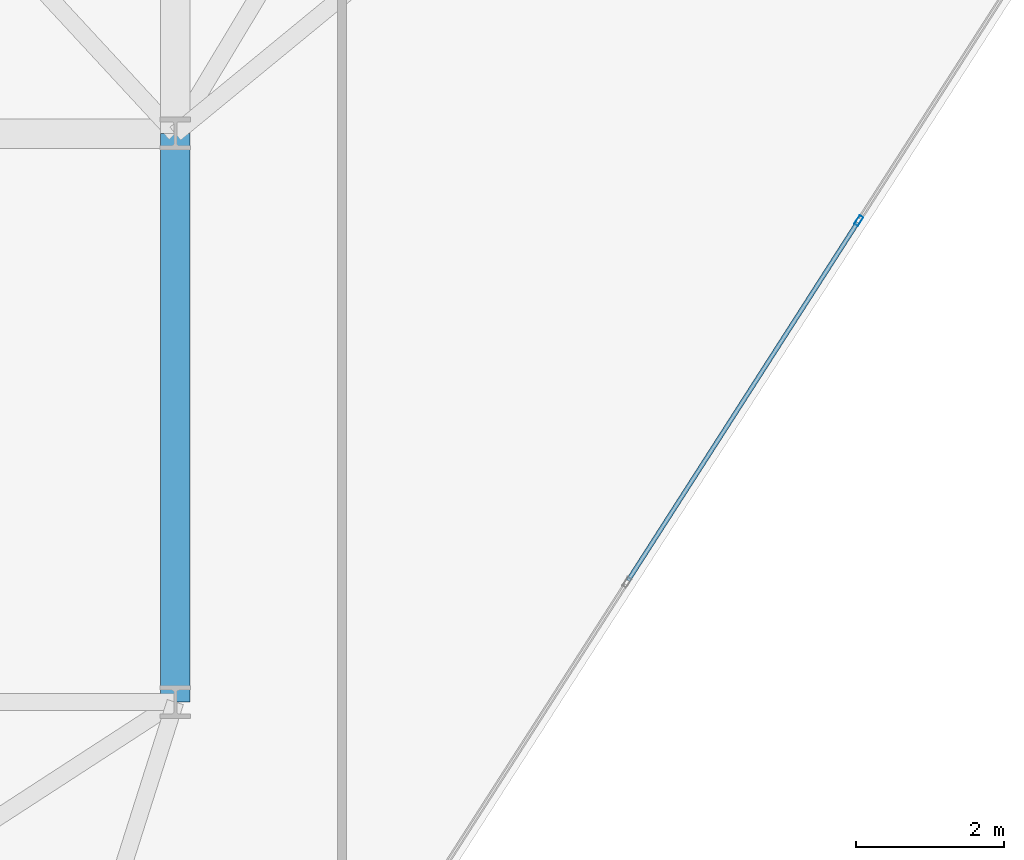
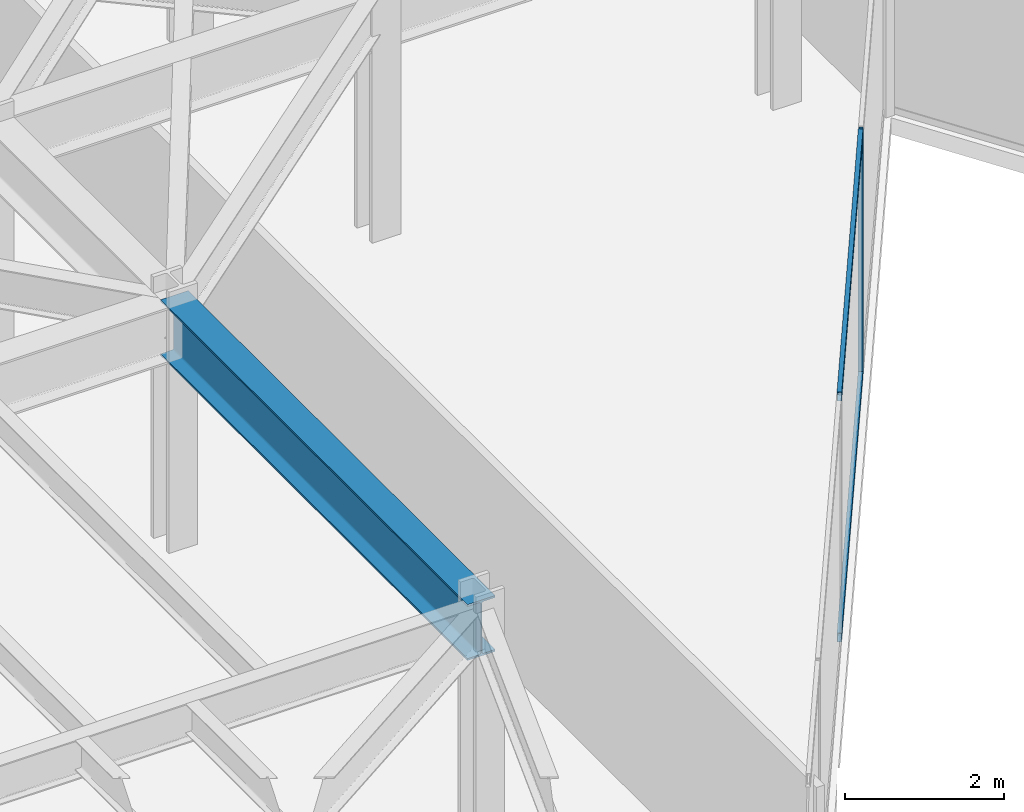
# One storey, part 8 of 26: 3 members, 1 beam, 1 element without a shape of its own.
"""IFC4 building model written with IfcOpenShell, lengths in metres."""

from ifc_helpers import new_model, si_unit, direction, frame, origin, origin_2d, place, context, subcontext, project, spatial, hollow_rectangle, i_section, extrude, material, layer, layer_set, material_profile, profile_set, type_object, element, aggregate, save


model = new_model("IFC4")

# Units and contexts
model_context = context("Model", 3, precision=1e-05, world=origin(), true_north=direction((0.0, 1.0)))
body_context = subcontext(model_context, "Body", "Model", "MODEL_VIEW")
ifc_project = project(units=[si_unit("LENGTHUNIT", "METRE"), si_unit("AREAUNIT", "SQUARE_METRE"), si_unit("VOLUMEUNIT", "CUBIC_METRE"), si_unit("PLANEANGLEUNIT", "RADIAN"), si_unit("MASSUNIT", "GRAM", prefix="KILO")], contexts=[model_context])

# Site, building, storey
site_placement = place(None, origin())
site = spatial("IfcSite", under=ifc_project, at=site_placement, CompositionType="ELEMENT")
building_placement = place(site_placement, origin())
building = spatial("IfcBuilding", under=site, at=building_placement, Name="Kravanh Interchange Tower", CompositionType="ELEMENT")
storey_placement = place(building_placement, frame((0.0, 0.0, 128.0)))
storey = spatial("IfcBuildingStorey", under=building, at=storey_placement, Name="L30", CompositionType="ELEMENT", Elevation=128.0)

# Curtain wall, members
ifc_material_1 = material(Name="Anodised Bronze Aluminium", Category="aluminium")
ifc_layer = layer(ifc_material_1, 0.179931640625)
ifc_layer_set = layer_set([ifc_layer], Name="Unitised Curtain Wall System CW-Z2 Mid Office")
curtain_wall_type = type_object("IfcCurtainWallType", Name="Unitised Curtain Wall System CW-Z2 Mid Office", PredefinedType="NOTDEFINED", material=ifc_layer_set)
curtain_wall_placement = place(storey_placement, origin())
curtain_wall = element("IfcCurtainWall", 1, at=curtain_wall_placement, inside=storey, type_object=curtain_wall_type, Name="L30 Unitised Curtain Wall CW-L30-05", PredefinedType="NOTDEFINED")
ifc_material_2 = material(Name="Anodised Bronze Aluminium", Category="aluminium")
ifc_material_profile_1 = material_profile(ifc_material_2, hollow_rectangle(XDim=0.06005859375, YDim=0.139892578125, WallThickness=0.00390625, at=origin_2d()), Name="ALU60X140X4")
ifc_profile_set_1 = profile_set([ifc_material_profile_1], Name="Anodised Bronze Aluminium")
member_type_1 = type_object("IfcMemberType", Name="Curtain Wall Mullion ALU60X140X4 Bronze", PredefinedType="MULLION", material=ifc_profile_set_1)
member_1_placement = place(storey_placement, frame((36.45849609375, 21.021728515625, 0.0), z_axis=(0.0, 0.0, 1.0), x_axis=(0.841879939476, -0.539664865919, 0.0)))
member_1 = element("IfcMember", 2, at=member_1_placement, type_object=member_type_1, Name="CW-Z2 mullion 2", PredefinedType="MULLION", context=body_context, shape_type="SweptSolid", body=[
    extrude(hollow_rectangle(XDim=0.06005859375, YDim=0.139892578125, WallThickness=0.00390625, at=origin_2d()), origin(), (0.0, 0.0, 1.0), 3.75),
])
ifc_material_3 = material(Name="Anodised Bronze Aluminium", Category="aluminium")
ifc_material_profile_2 = material_profile(ifc_material_3, hollow_rectangle(XDim=0.06005859375, YDim=0.139892578125, WallThickness=0.00390625, at=origin_2d()), Name="ALU60X140X4")
ifc_profile_set_2 = profile_set([ifc_material_profile_2], Name="Anodised Bronze Aluminium")
member_type_2 = type_object("IfcMemberType", Name="Curtain Wall Transom ALU60X140X4 Bronze", PredefinedType="USERDEFINED", material=ifc_profile_set_2)
member_2_placement = place(storey_placement, frame((36.4423828125, 20.99658203125, 0.030029296875), z_axis=(-0.539647630778, -0.841890987359, 0.0), x_axis=(0.841890987359, -0.539647630778, 0.0)))
member_2 = element("IfcMember", 3, at=member_2_placement, type_object=member_type_2, Name="CW-Z2 transom 2.1", ObjectType="TRANSOM", PredefinedType="USERDEFINED", context=body_context, shape_type="SweptSolid", body=[
    extrude(hollow_rectangle(XDim=0.06005859375, YDim=0.139892578125, WallThickness=0.00390625, at=origin_2d()), origin(), (0.0, 0.0, 1.0), 5.760986328125),
])
member_3_placement = place(storey_placement, frame((36.4423828125, 20.99658203125, 3.719970703125), z_axis=(-0.539647630778, -0.841890987359, 0.0), x_axis=(0.841890987359, -0.539647630778, 0.0)))
member_3 = element("IfcMember", 4, at=member_3_placement, type_object=member_type_2, Name="CW-Z2 transom 2.2", ObjectType="TRANSOM", PredefinedType="USERDEFINED", context=body_context, shape_type="SweptSolid", body=[
    extrude(hollow_rectangle(XDim=0.06005859375, YDim=0.139892578125, WallThickness=0.00390625, at=origin_2d()), origin(), (0.0, 0.0, 1.0), 5.760986328125),
])
aggregate(curtain_wall, [member_1, member_2, member_3])

# Beam
ifc_material_4 = material(Name="Structural Steel S355", Category="steel")
ifc_material_profile_3 = material_profile(ifc_material_4, i_section(OverallWidth=0.39990234375, OverallDepth=0.85595703125, WebThickness=0.018310546875, FlangeThickness=0.029296875, FilletRadius=0.02490234375, at=origin_2d()), Name="W33X201")
ifc_profile_set_3 = profile_set([ifc_material_profile_3], Name="Structural Steel S355")
beam_type = type_object("IfcBeamType", Name="Floor Beam W33X201 Structural Steel S355", PredefinedType="BEAM", material=ifc_profile_set_3)
beam_placement = place(storey_placement, frame((27.199951171875, 14.5, 3.322021484375), z_axis=(0.0, 1.0, 0.0), x_axis=(-1.0, 0.0, 0.0)))
element("IfcBeam", 5, at=beam_placement, inside=storey, type_object=beam_type, Name="L30 Primary Floor Girder 102", PredefinedType="BEAM", context=body_context, shape_type="SweptSolid", body=[
    extrude(i_section(OverallWidth=0.39990234375, OverallDepth=0.85595703125, WebThickness=0.018310546875, FlangeThickness=0.029296875, FilletRadius=0.02490234375, at=origin_2d()), origin(), (0.0, 0.0, 1.0), 7.699951171875),
])

save(model, "model.ifc")
